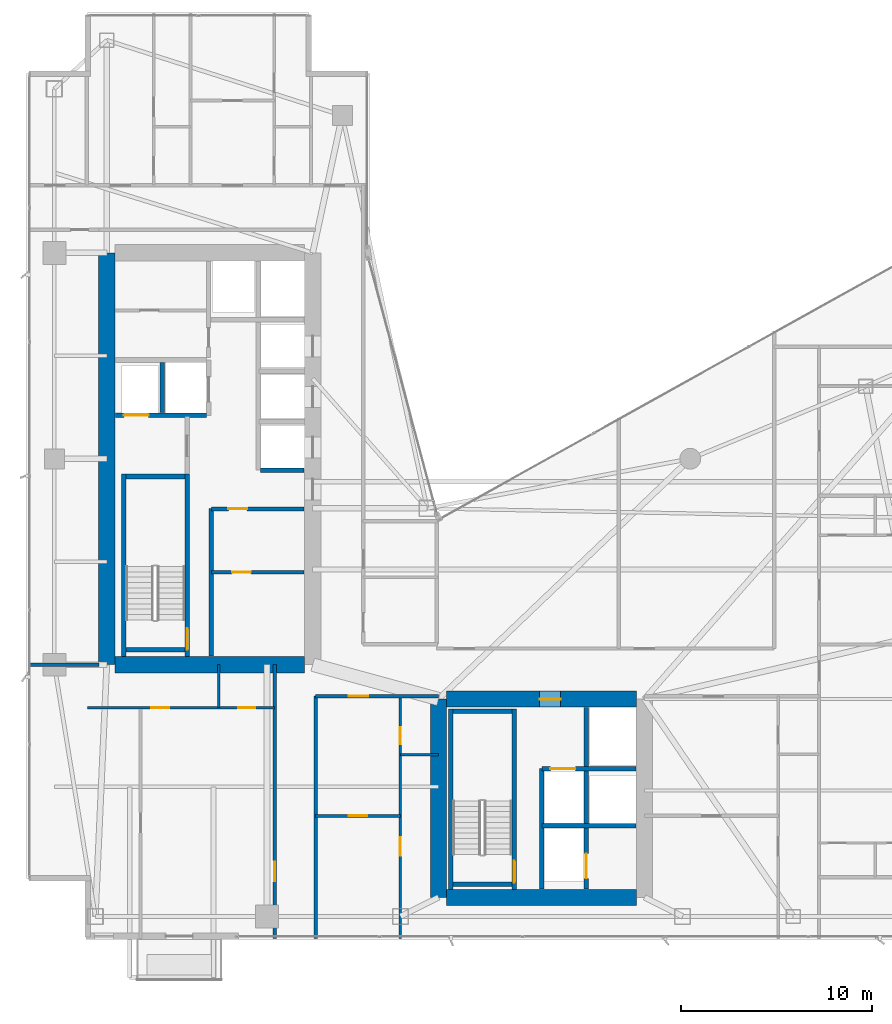
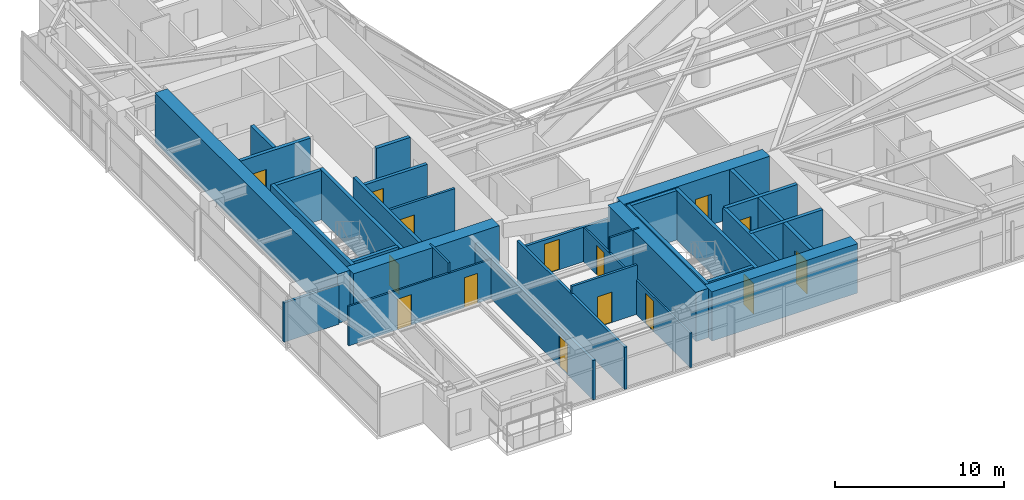
# One storey, part 22 of 28: 32 walls, 15 doors, 15 openings.
"""IFC4 building model written with IfcOpenShell, lengths in metres."""

from ifc_helpers import new_model, si_unit, direction, frame, frame_2d, origin, place, context, subcontext, project, spatial, rectangle, extrude, material, layer, layer_set, type_object, element, fill, save


model = new_model("IFC4")

# Units and contexts
model_context = context("Model", 3, precision=1e-05, world=origin(), true_north=direction((0.0, 1.0)))
body_context = subcontext(model_context, "Body", "Model", "MODEL_VIEW")
ifc_project = project(units=[si_unit("LENGTHUNIT", "METRE"), si_unit("AREAUNIT", "SQUARE_METRE"), si_unit("VOLUMEUNIT", "CUBIC_METRE"), si_unit("PLANEANGLEUNIT", "RADIAN"), si_unit("MASSUNIT", "GRAM", prefix="KILO")], contexts=[model_context])

# Site, building, storey
site_placement = place(None, origin())
site = spatial("IfcSite", under=ifc_project, at=site_placement, CompositionType="ELEMENT")
building_placement = place(site_placement, origin())
building = spatial("IfcBuilding", under=site, at=building_placement, Name="Calvorn Quay Hotel", CompositionType="ELEMENT")
storey_placement = place(building_placement, frame((0.0, 0.0, 131.60009765625)))
storey = spatial("IfcBuildingStorey", under=building, at=storey_placement, Name="L32", CompositionType="ELEMENT", Elevation=131.60009765625)

# Walls
ifc_material_1 = material(Name="Concrete C50", Category="concrete")
ifc_layer_1 = layer(ifc_material_1, 0.85009765625)
ifc_layer_set_1 = layer_set([ifc_layer_1], Name="WL-CORE-850")
wall_type_1 = type_object("IfcWallType", Name="WL-CORE-850", PredefinedType="SHEAR", material=ifc_layer_set_1)
wall_1_placement = place(storey_placement, frame((4.199951171875, 16.800048828125, 0.0), z_axis=(0.0, 0.0, 1.0), x_axis=(0.0, 1.0, 0.0)))
element("IfcWall", 1, at=wall_1_placement, inside=storey, type_object=wall_type_1, Name="West Core Shear Wall W (L32)", PredefinedType="SHEAR", context=body_context, shape_type="SweptSolid", body=[
    extrude(rectangle(XDim=21.599853515625, YDim=0.85009765625, at=frame_2d((10.7998046875, 0.0))), origin(), (0.0, 0.0, 1.0), 3.559814453125),
])
wall_2_placement = place(storey_placement, frame((4.625, 16.800048828125, 0.0), z_axis=(0.0, 0.0, 1.0), x_axis=(1.0, 0.0, 0.0)))
element("IfcWall", 2, at=wall_2_placement, inside=storey, type_object=wall_type_1, Name="West Core Shear Wall S (L32)", PredefinedType="SHEAR", context=body_context, shape_type="SweptSolid", body=[
    extrude(rectangle(XDim=9.949951171875, YDim=0.85009765625, at=frame_2d((4.97509765625, 0.0))), origin(), (0.0, 0.0, 1.0), 3.559814453125),
])
wall_3_placement = place(storey_placement, frame((21.60009765625, 4.60009765625, 0.0), z_axis=(0.0, 0.0, 1.0), x_axis=(0.0, 1.0, 0.0)))
element("IfcWall", 3, at=wall_3_placement, inside=storey, type_object=wall_type_1, Name="East Core Shear Wall W (L32)", PredefinedType="SHEAR", context=body_context, shape_type="SweptSolid", body=[
    extrude(rectangle(XDim=10.39990234375, YDim=0.85009765625, at=frame_2d((5.199951171875, 0.0))), origin(), (0.0, 0.0, 1.0), 3.559814453125),
])

# Wall, opening, door
wall_4_placement = place(storey_placement, frame((22.02490234375, 15.0, 0.0), z_axis=(0.0, 0.0, 1.0), x_axis=(1.0, 0.0, 0.0)))
wall_4 = element("IfcWall", 4, at=wall_4_placement, inside=storey, type_object=wall_type_1, Name="East Core Shear Wall N (L32)", PredefinedType="SHEAR", context=body_context, shape_type="SweptSolid", body=[
    extrude(rectangle(XDim=9.9501953125, YDim=0.85009765625, at=frame_2d((4.97509765625, 0.0))), origin(), (0.0, 0.0, 1.0), 3.559814453125),
])
opening_1_placement = place(wall_4_placement, frame((4.8798828125, 0.0, 0.0)))
opening_1 = element("IfcOpeningElement", 5, at=opening_1_placement, cuts=wall_4, Name="Opening D-L32-FLE", PredefinedType="OPENING", context=body_context, shape_type="SweptSolid", body=[
    extrude(rectangle(XDim=1.10009765625, YDim=2.199951171875, at=frame_2d((0.550048828125, 1.10009765625))), frame((0.0, 0.43505859375, 0.0), z_axis=(0.0, -1.0, 0.0), x_axis=(1.0, 0.0, 0.0)), (0.0, 0.0, 1.0), 0.8701171875),
])
ifc_material_2 = material(Name="Smoke-Sealed Steel Class A Fire Door", Category="steel")
door_type_1 = type_object("IfcDoorType", Name="DR-FFLOBBY-1100", OperationType="NOTDEFINED", PredefinedType="DOOR", material=ifc_material_2)
door_1_placement = place(opening_1_placement, origin())
door_1 = element("IfcDoor", 6, at=door_1_placement, inside=storey, type_object=door_type_1, Name="East Firefighting Lobby Fire Door (L32)", OperationType="SINGLE_SWING_RIGHT", OverallHeight=2.199951171875, OverallWidth=1.10009765625, PredefinedType="DOOR", context=body_context, shape_type="SweptSolid", body=[
    extrude(rectangle(XDim=1.10009765625, YDim=2.199951171875, at=frame_2d((0.550048828125, 1.10009765625))), frame((0.0, 0.02490234375, 0.0), z_axis=(0.0, -1.0, 0.0), x_axis=(1.0, 0.0, 0.0)), (0.0, 0.0, 1.0), 0.050048828125),
])
fill(opening_1, door_1)

# Walls
wall_5_placement = place(storey_placement, frame((22.02490234375, 4.60009765625, 0.0), z_axis=(0.0, 0.0, 1.0), x_axis=(1.0, 0.0, 0.0)))
element("IfcWall", 7, at=wall_5_placement, inside=storey, type_object=wall_type_1, Name="East Core Shear Wall S (L32)", PredefinedType="SHEAR", context=body_context, shape_type="SweptSolid", body=[
    extrude(rectangle(XDim=9.9501953125, YDim=0.85009765625, at=frame_2d((4.97509765625, 0.0))), origin(), (0.0, 0.0, 1.0), 3.559814453125),
])
ifc_material_3 = material(Name="Acoustic Fireboard Steel-Stud Partition", Category="steel")
ifc_layer_2 = layer(ifc_material_3, 0.179931640625)
ifc_layer_set_2 = layer_set([ifc_layer_2], Name="WL-CORR-FIRE-180")
wall_type_2 = type_object("IfcWallType", Name="WL-CORR-FIRE-180", PredefinedType="PARTITIONING", material=ifc_layer_set_2)
wall_6_placement = place(storey_placement, frame((0.080078125, 16.800048828125, 0.0), z_axis=(0.0, 0.0, 1.0), x_axis=(1.0, 0.0, 0.0)))
element("IfcWall", 8, at=wall_6_placement, inside=storey, type_object=wall_type_2, Name="Partition Wall L32-WL-WBAY-S-WALL", PredefinedType="PARTITIONING", context=body_context, shape_type="SweptSolid", body=[
    extrude(rectangle(XDim=3.724853515625, YDim=0.179931640625, at=frame_2d((1.8623046875, 0.0))), origin(), (0.0, 0.0, 1.0), 2.83984375),
])

# Wall, opening, door
wall_7_placement = place(storey_placement, frame((13.0, 2.43994140625, 0.0), z_axis=(0.0, 0.0, 1.0), x_axis=(0.0, 1.0, 0.0)))
wall_7 = element("IfcWall", 9, at=wall_7_placement, inside=storey, type_object=wall_type_2, Name="Partition Wall L32-WL-CORR-SW-LEG-W", PredefinedType="PARTITIONING", context=body_context, shape_type="SweptSolid", body=[
    extrude(rectangle(XDim=14.360107421875, YDim=0.179931640625, at=frame_2d((7.18017578125, 0.0))), origin(), (0.0, 0.0, 1.0), 2.83984375),
])
opening_2_placement = place(wall_7_placement, frame((3.010009765625, 0.0, 0.0)))
opening_2 = element("IfcOpeningElement", 10, at=opening_2_placement, cuts=wall_7, Name="Opening D-L32-U01", PredefinedType="OPENING", context=body_context, shape_type="SweptSolid", body=[
    extrude(rectangle(XDim=1.02001953125, YDim=2.199951171875, at=frame_2d((0.510009765625, 1.10009765625))), frame((0.0, 0.099853515625, 0.0), z_axis=(0.0, -1.0, 0.0), x_axis=(1.0, 0.0, 0.0)), (0.0, 0.0, 1.0), 0.199951171875),
])
ifc_material_4 = material(Name="Solid-Core Walnut Veneer Hotel Fire Door")
door_type_2 = type_object("IfcDoorType", Name="DR-GUEST-ENTRY-1020", OperationType="NOTDEFINED", PredefinedType="DOOR", material=ifc_material_4)
door_2_placement = place(opening_2_placement, origin())
door_2 = element("IfcDoor", 11, at=door_2_placement, inside=storey, type_object=door_type_2, Name="South-West Unit Door U01 (L32)", OperationType="SINGLE_SWING_LEFT", OverallHeight=2.199951171875, OverallWidth=1.02001953125, PredefinedType="DOOR", context=body_context, shape_type="SweptSolid", body=[
    extrude(rectangle(XDim=1.02001953125, YDim=2.199951171875, at=frame_2d((0.510009765625, 1.10009765625))), frame((0.0, 0.02490234375, 0.0), z_axis=(0.0, -1.0, 0.0), x_axis=(1.0, 0.0, 0.0)), (0.0, 0.0, 1.0), 0.050048828125),
])
fill(opening_2, door_2)

# Wall
wall_8_placement = place(storey_placement, frame((15.14990234375, 2.43994140625, 0.0), z_axis=(0.0, 0.0, 1.0), x_axis=(0.0, 1.0, 0.0)))
element("IfcWall", 12, at=wall_8_placement, inside=storey, type_object=wall_type_2, Name="Partition Wall L32-WL-CORR-SW-W", PredefinedType="PARTITIONING", context=body_context, shape_type="SweptSolid", body=[
    extrude(rectangle(XDim=12.7099609375, YDim=0.179931640625, at=frame_2d((6.35498046875, 0.0))), origin(), (0.0, 0.0, 1.0), 3.039794921875),
])

# Wall, opening, door
wall_9_placement = place(storey_placement, frame((15.14990234375, 15.14990234375, 0.0), z_axis=(0.0, 0.0, 1.0), x_axis=(1.0, 0.0, 0.0)))
wall_9 = element("IfcWall", 13, at=wall_9_placement, inside=storey, type_object=wall_type_2, Name="Partition Wall L32-WL-SC-CORR-S", PredefinedType="PARTITIONING", context=body_context, shape_type="SweptSolid", body=[
    extrude(rectangle(XDim=6.4501953125, YDim=0.179931640625, at=frame_2d((3.22509765625, 0.0))), origin(), (0.0, 0.0, 1.0), 2.489990234375),
])
opening_3_placement = place(wall_9_placement, frame((1.739990234375, 0.0, 0.0)))
opening_3 = element("IfcOpeningElement", 14, at=opening_3_placement, cuts=wall_9, Name="Opening D-L32-U02", PredefinedType="OPENING", context=body_context, shape_type="SweptSolid", body=[
    extrude(rectangle(XDim=1.02001953125, YDim=2.199951171875, at=frame_2d((0.510009765625, 1.10009765625))), frame((0.0, 0.099853515625, 0.0), z_axis=(0.0, -1.0, 0.0), x_axis=(1.0, 0.0, 0.0)), (0.0, 0.0, 1.0), 0.199951171875),
])
door_3_placement = place(opening_3_placement, origin())
door_3 = element("IfcDoor", 15, at=door_3_placement, inside=storey, type_object=door_type_2, Name="Harbour Central Unit Door (L32)", OperationType="SINGLE_SWING_LEFT", OverallHeight=2.199951171875, OverallWidth=1.02001953125, PredefinedType="DOOR", context=body_context, shape_type="SweptSolid", body=[
    extrude(rectangle(XDim=1.02001953125, YDim=2.199951171875, at=frame_2d((0.510009765625, 1.10009765625))), frame((0.0, 0.02490234375, 0.0), z_axis=(0.0, -1.0, 0.0), x_axis=(1.0, 0.0, 0.0)), (0.0, 0.0, 1.0), 0.050048828125),
])
fill(opening_3, door_3)

# Wall
ifc_material_5 = material(Name="Moisture-Resistant Tile-Backed Partition")
ifc_layer_3 = layer(ifc_material_5, 0.125)
ifc_layer_set_3 = layer_set([ifc_layer_3], Name="WL-ENSUITE-125")
wall_type_3 = type_object("IfcWallType", Name="WL-ENSUITE-125", PredefinedType="PARTITIONING", material=ifc_layer_set_3)
wall_10_placement = place(storey_placement, frame((10.080078125, 14.550048828125, 0.0), z_axis=(0.0, 0.0, 1.0), x_axis=(0.0, 1.0, 0.0)))
element("IfcWall", 16, at=wall_10_placement, inside=storey, type_object=wall_type_3, Name="Partition Wall L32-WL-U01-BDV", PredefinedType="PARTITIONING", context=body_context, shape_type="SweptSolid", body=[
    extrude(rectangle(XDim=2.25, YDim=0.125, at=frame_2d((1.125, 0.0))), origin(), (0.0, 0.0, 1.0), 3.559814453125),
])

# Wall, openings, doors
wall_11_placement = place(storey_placement, frame((3.199951171875, 14.550048828125, 0.0), z_axis=(0.0, 0.0, 1.0), x_axis=(1.0, 0.0, 0.0)))
wall_11 = element("IfcWall", 17, at=wall_11_placement, inside=storey, type_object=wall_type_3, Name="Partition Wall L32-WL-U01-BH", PredefinedType="PARTITIONING", context=body_context, shape_type="SweptSolid", body=[
    extrude(rectangle(XDim=9.800048828125, YDim=0.125, at=frame_2d((4.89990234375, 0.0))), origin(), (0.0, 0.0, 1.0), 2.83984375),
])
opening_4_placement = place(wall_11_placement, frame((3.320068359375, 0.0, 0.0)))
opening_4 = element("IfcOpeningElement", 18, at=opening_4_placement, cuts=wall_11, Name="Opening D-L32-S01", PredefinedType="OPENING", context=body_context, shape_type="SweptSolid", body=[
    extrude(rectangle(XDim=0.9599609375, YDim=2.199951171875, at=frame_2d((0.47998046875, 1.10009765625))), frame((0.0, 0.072509765625, 0.0), z_axis=(0.0, -1.0, 0.0), x_axis=(1.0, 0.0, 0.0)), (0.0, 0.0, 1.0), 0.14501953125),
])
opening_5_placement = place(wall_11_placement, frame((7.889892578125, 0.0, 0.0)))
opening_5 = element("IfcOpeningElement", 19, at=opening_5_placement, cuts=wall_11, Name="Opening D-L32-E01", PredefinedType="OPENING", context=body_context, shape_type="SweptSolid", body=[
    extrude(rectangle(XDim=0.89990234375, YDim=2.14990234375, at=frame_2d((0.449951171875, 1.074951171875))), frame((0.0, 0.072509765625, 0.0), z_axis=(0.0, -1.0, 0.0), x_axis=(1.0, 0.0, 0.0)), (0.0, 0.0, 1.0), 0.14501953125),
])
ifc_material_6 = material(Name="Moisture-Sealed Timber En-Suite Door", Category="wood")
door_type_3 = type_object("IfcDoorType", Name="DR-ENSUITE-900", OperationType="NOTDEFINED", PredefinedType="DOOR", material=ifc_material_6)
door_4_placement = place(opening_5_placement, origin())
door_4 = element("IfcDoor", 20, at=door_4_placement, inside=storey, type_object=door_type_3, Name="En-Suite Door 01", OperationType="SINGLE_SWING_RIGHT", OverallHeight=2.14990234375, OverallWidth=0.89990234375, PredefinedType="DOOR", context=body_context, shape_type="SweptSolid", body=[
    extrude(rectangle(XDim=0.89990234375, YDim=2.14990234375, at=frame_2d((0.449951171875, 1.074951171875))), frame((0.0, 0.02490234375, 0.0), z_axis=(0.0, -1.0, 0.0), x_axis=(1.0, 0.0, 0.0)), (0.0, 0.0, 1.0), 0.050048828125),
])
fill(opening_5, door_4)
ifc_material_7 = material(Name="Solid Timber Internal Suite Door", Category="wood")
door_type_4 = type_object("IfcDoorType", Name="DR-SUITE-INT-960", OperationType="NOTDEFINED", PredefinedType="DOOR", material=ifc_material_7)
door_5_placement = place(opening_4_placement, origin())
door_5 = element("IfcDoor", 21, at=door_5_placement, inside=storey, type_object=door_type_4, Name="Walk-In Wardrobe Door 01", OperationType="SINGLE_SWING_LEFT", OverallHeight=2.199951171875, OverallWidth=0.9599609375, PredefinedType="DOOR", context=body_context, shape_type="SweptSolid", body=[
    extrude(rectangle(XDim=0.9599609375, YDim=2.199951171875, at=frame_2d((0.47998046875, 1.10009765625))), frame((0.0, 0.02490234375, 0.0), z_axis=(0.0, -1.0, 0.0), x_axis=(1.0, 0.0, 0.0)), (0.0, 0.0, 1.0), 0.050048828125),
])
fill(opening_4, door_5)

# Wall
wall_12_placement = place(storey_placement, frame((19.60009765625, 12.070068359375, 0.0), z_axis=(0.0, 0.0, 1.0), x_axis=(1.0, 0.0, 0.0)))
element("IfcWall", 22, at=wall_12_placement, inside=storey, type_object=wall_type_3, Name="Partition Wall L32-WL-U02-BDV", PredefinedType="PARTITIONING", context=body_context, shape_type="SweptSolid", body=[
    extrude(rectangle(XDim=2.0, YDim=0.125, at=frame_2d((1.0, 0.0))), origin(), (0.0, 0.0, 1.0), 3.559814453125),
])

# Wall, openings, doors
wall_13_placement = place(storey_placement, frame((19.60009765625, 2.43994140625, 0.0), z_axis=(0.0, 0.0, 1.0), x_axis=(0.0, 1.0, 0.0)))
wall_13 = element("IfcWall", 23, at=wall_13_placement, inside=storey, type_object=wall_type_3, Name="Partition Wall L32-WL-U02-BV", PredefinedType="PARTITIONING", context=body_context, shape_type="SweptSolid", body=[
    extrude(rectangle(XDim=12.7099609375, YDim=0.125, at=frame_2d((6.35498046875, 0.0))), origin(), (0.0, 0.0, 1.0), 2.489990234375),
])
opening_6_placement = place(wall_13_placement, frame((4.340087890625, 0.0, 0.0)))
opening_6 = element("IfcOpeningElement", 24, at=opening_6_placement, cuts=wall_13, Name="Opening D-L32-S02", PredefinedType="OPENING", context=body_context, shape_type="SweptSolid", body=[
    extrude(rectangle(XDim=0.9599609375, YDim=2.199951171875, at=frame_2d((0.47998046875, 1.10009765625))), frame((0.0, 0.072509765625, 0.0), z_axis=(0.0, -1.0, 0.0), x_axis=(1.0, 0.0, 0.0)), (0.0, 0.0, 1.0), 0.14501953125),
])
opening_7_placement = place(wall_13_placement, frame((10.179931640625, 0.0, 0.0)))
opening_7 = element("IfcOpeningElement", 25, at=opening_7_placement, cuts=wall_13, Name="Opening D-L32-E02", PredefinedType="OPENING", context=body_context, shape_type="SweptSolid", body=[
    extrude(rectangle(XDim=0.89990234375, YDim=2.14990234375, at=frame_2d((0.449951171875, 1.074951171875))), frame((0.0, 0.072509765625, 0.0), z_axis=(0.0, -1.0, 0.0), x_axis=(1.0, 0.0, 0.0)), (0.0, 0.0, 1.0), 0.14501953125),
])
door_6_placement = place(opening_7_placement, origin())
door_6 = element("IfcDoor", 26, at=door_6_placement, inside=storey, type_object=door_type_3, Name="En-Suite Door 02", OperationType="SINGLE_SWING_RIGHT", OverallHeight=2.14990234375, OverallWidth=0.89990234375, PredefinedType="DOOR", context=body_context, shape_type="SweptSolid", body=[
    extrude(rectangle(XDim=0.89990234375, YDim=2.14990234375, at=frame_2d((0.449951171875, 1.074951171875))), frame((0.0, 0.02490234375, 0.0), z_axis=(0.0, -1.0, 0.0), x_axis=(1.0, 0.0, 0.0)), (0.0, 0.0, 1.0), 0.050048828125),
])
fill(opening_7, door_6)
door_7_placement = place(opening_6_placement, origin())
door_7 = element("IfcDoor", 27, at=door_7_placement, inside=storey, type_object=door_type_4, Name="Walk-In Wardrobe Door 02", OperationType="SINGLE_SWING_LEFT", OverallHeight=2.199951171875, OverallWidth=0.9599609375, PredefinedType="DOOR", context=body_context, shape_type="SweptSolid", body=[
    extrude(rectangle(XDim=0.9599609375, YDim=2.199951171875, at=frame_2d((0.47998046875, 1.10009765625))), frame((0.0, 0.02490234375, 0.0), z_axis=(0.0, -1.0, 0.0), x_axis=(1.0, 0.0, 0.0)), (0.0, 0.0, 1.0), 0.050048828125),
])
fill(opening_6, door_7)

# Wall, opening, door
ifc_material_8 = material(Name="Double-Stud Acoustic Gypsum Partition")
ifc_layer_4 = layer(ifc_material_8, 0.159912109375)
ifc_layer_set_4 = layer_set([ifc_layer_4], Name="WL-INTERSUITE-160")
wall_type_4 = type_object("IfcWallType", Name="WL-INTERSUITE-160", PredefinedType="PARTITIONING", material=ifc_layer_set_4)
wall_14_placement = place(storey_placement, frame((9.679931640625, 21.64990234375, 0.0), z_axis=(0.0, 0.0, 1.0), x_axis=(1.0, 0.0, 0.0)))
wall_14 = element("IfcWall", 28, at=wall_14_placement, inside=storey, type_object=wall_type_4, Name="Partition Wall L32-WL-CWW-FR-SPLIT", PredefinedType="PARTITIONING", context=body_context, shape_type="SweptSolid", body=[
    extrude(rectangle(XDim=4.875, YDim=0.159912109375, at=frame_2d((2.4375, 0.0))), origin(), (0.0, 0.0, 1.0), 3.08984375),
])
opening_8_placement = place(wall_14_placement, frame((1.10009765625, 0.0, 0.0)))
opening_8 = element("IfcOpeningElement", 29, at=opening_8_placement, cuts=wall_14, Name="Opening D-L32-FRL1", PredefinedType="OPENING", context=body_context, shape_type="SweptSolid", body=[
    extrude(rectangle(XDim=0.97998046875, YDim=2.14990234375, at=frame_2d((0.489990234375, 1.074951171875))), frame((0.0, 0.08984375, 0.0), z_axis=(0.0, -1.0, 0.0), x_axis=(1.0, 0.0, 0.0)), (0.0, 0.0, 1.0), 0.179931640625),
])
ifc_material_9 = material(Name="Painted Steel Housekeeping/Riser Fire Door", Category="steel")
door_type_5 = type_object("IfcDoorType", Name="DR-SERVICE-980", OperationType="NOTDEFINED", PredefinedType="DOOR", material=ifc_material_9)
door_8_placement = place(opening_8_placement, origin())
door_8 = element("IfcDoor", 30, at=door_8_placement, inside=storey, type_object=door_type_5, Name="Linen Store Room Door (L32)", OperationType="SINGLE_SWING_LEFT", OverallHeight=2.14990234375, OverallWidth=0.97998046875, PredefinedType="DOOR", context=body_context, shape_type="SweptSolid", body=[
    extrude(rectangle(XDim=0.97998046875, YDim=2.14990234375, at=frame_2d((0.489990234375, 1.074951171875))), frame((0.0, 0.02490234375, 0.0), z_axis=(0.0, -1.0, 0.0), x_axis=(1.0, 0.0, 0.0)), (0.0, 0.0, 1.0), 0.050048828125),
])
fill(opening_8, door_8)

wall_15_placement = place(storey_placement, frame((15.14990234375, 8.8701171875, 0.0), z_axis=(0.0, 0.0, 1.0), x_axis=(1.0, 0.0, 0.0)))
wall_15 = element("IfcWall", 31, at=wall_15_placement, inside=storey, type_object=wall_type_4, Name="Partition Wall L32-WL-U02-MSP", PredefinedType="PARTITIONING", context=body_context, shape_type="SweptSolid", body=[
    extrude(rectangle(XDim=4.4501953125, YDim=0.159912109375, at=frame_2d((2.22509765625, 0.0))), origin(), (0.0, 0.0, 1.0), 3.559814453125),
])
opening_9_placement = place(wall_15_placement, frame((1.75, 0.0, 0.0)))
opening_9 = element("IfcOpeningElement", 32, at=opening_9_placement, cuts=wall_15, Name="Opening D-L32-M02", PredefinedType="OPENING", context=body_context, shape_type="SweptSolid", body=[
    extrude(rectangle(XDim=0.9599609375, YDim=2.199951171875, at=frame_2d((0.47998046875, 1.10009765625))), frame((0.0, 0.08984375, 0.0), z_axis=(0.0, -1.0, 0.0), x_axis=(1.0, 0.0, 0.0)), (0.0, 0.0, 1.0), 0.179931640625),
])
door_9_placement = place(opening_9_placement, origin())
door_9 = element("IfcDoor", 33, at=door_9_placement, inside=storey, type_object=door_type_4, Name="Suite Bedroom Door 02", OperationType="SINGLE_SWING_LEFT", OverallHeight=2.199951171875, OverallWidth=0.9599609375, PredefinedType="DOOR", context=body_context, shape_type="SweptSolid", body=[
    extrude(rectangle(XDim=0.9599609375, YDim=2.199951171875, at=frame_2d((0.47998046875, 1.10009765625))), frame((0.0, 0.02490234375, 0.0), z_axis=(0.0, -1.0, 0.0), x_axis=(1.0, 0.0, 0.0)), (0.0, 0.0, 1.0), 0.050048828125),
])
fill(opening_9, door_9)

# Wall
ifc_material_10 = material(Name="Autoclaved Aerated Masonry Block", Category="masonry")
ifc_layer_5 = layer(ifc_material_10, 0.219970703125)
ifc_layer_set_5 = layer_set([ifc_layer_5], Name="WL-LOBBY-FIRE-220")
wall_type_5 = type_object("IfcWallType", Name="WL-LOBBY-FIRE-220", PredefinedType="SOLIDWALL", material=ifc_layer_set_5)
wall_16_placement = place(storey_placement, frame((9.679931640625, 17.2451171875, 0.0), z_axis=(0.0, 0.0, 1.0), x_axis=(0.0, 1.0, 0.0)))
element("IfcWall", 34, at=wall_16_placement, inside=storey, type_object=wall_type_5, Name="Partition Wall L32-WL-CWW-STW-HALL-E", PredefinedType="SOLIDWALL", context=body_context, shape_type="SweptSolid", body=[
    extrude(rectangle(XDim=7.7548828125, YDim=0.219970703125, at=frame_2d((3.87744140625, 0.0))), origin(), (0.0, 0.0, 1.0), 3.559814453125),
])

# Wall, opening, door
wall_17_placement = place(storey_placement, frame((9.679931640625, 24.969970703125, 0.0), z_axis=(0.0, 0.0, 1.0), x_axis=(1.0, 0.0, 0.0)))
wall_17 = element("IfcWall", 35, at=wall_17_placement, inside=storey, type_object=wall_type_5, Name="Partition Wall L32-WL-CWW-FR-N", PredefinedType="SOLIDWALL", context=body_context, shape_type="SweptSolid", body=[
    extrude(rectangle(XDim=4.875, YDim=0.219970703125, at=frame_2d((2.4375, 0.0))), origin(), (0.0, 0.0, 1.0), 2.83984375),
])
opening_10_placement = place(wall_17_placement, frame((0.89990234375, 0.0, 0.0)))
opening_10 = element("IfcOpeningElement", 36, at=opening_10_placement, cuts=wall_17, Name="Opening D-L32-FRL2", PredefinedType="OPENING", context=body_context, shape_type="SweptSolid", body=[
    extrude(rectangle(XDim=0.97998046875, YDim=2.14990234375, at=frame_2d((0.489990234375, 1.074951171875))), frame((0.0, 0.119873046875, 0.0), z_axis=(0.0, -1.0, 0.0), x_axis=(1.0, 0.0, 0.0)), (0.0, 0.0, 1.0), 0.239990234375),
])
door_10_placement = place(opening_10_placement, origin())
door_10 = element("IfcDoor", 37, at=door_10_placement, inside=storey, type_object=door_type_5, Name="Beverage Pantry Door (L32)", OperationType="SINGLE_SWING_RIGHT", OverallHeight=2.14990234375, OverallWidth=0.97998046875, PredefinedType="DOOR", context=body_context, shape_type="SweptSolid", body=[
    extrude(rectangle(XDim=0.97998046875, YDim=2.14990234375, at=frame_2d((0.489990234375, 1.074951171875))), frame((0.0, 0.02490234375, 0.0), z_axis=(0.0, -1.0, 0.0), x_axis=(1.0, 0.0, 0.0)), (0.0, 0.0, 1.0), 0.050048828125),
])
fill(opening_10, door_10)

# Wall
ifc_material_11 = material(Name="Concrete C40", Category="concrete")
ifc_layer_6 = layer(ifc_material_11, 0.239990234375)
ifc_layer_set_6 = layer_set([ifc_layer_6], Name="WL-SHAFT-240")
wall_type_6 = type_object("IfcWallType", Name="WL-SHAFT-240", PredefinedType="SOLIDWALL", material=ifc_layer_set_6)
wall_18_placement = place(storey_placement, frame((5.080078125, 17.22509765625, 0.0), z_axis=(0.0, 0.0, 1.0), x_axis=(0.0, 1.0, 0.0)))
element("IfcWall", 38, at=wall_18_placement, inside=storey, type_object=wall_type_6, Name="Stair STW Shaft Wall W (L32)", PredefinedType="SOLIDWALL", context=body_context, shape_type="SweptSolid", body=[
    extrude(rectangle(XDim=9.56494140625, YDim=0.239990234375, at=frame_2d((4.782470703125, 0.0))), origin(), (0.0, 0.0, 1.0), 3.559814453125),
])

# Wall, opening, door
wall_19_placement = place(storey_placement, frame((8.419921875, 17.22509765625, 0.0), z_axis=(0.0, 0.0, 1.0), x_axis=(0.0, 1.0, 0.0)))
wall_19 = element("IfcWall", 39, at=wall_19_placement, inside=storey, type_object=wall_type_6, Name="Stair STW Shaft Wall E (L32)", PredefinedType="SOLIDWALL", context=body_context, shape_type="SweptSolid", body=[
    extrude(rectangle(XDim=9.56494140625, YDim=0.239990234375, at=frame_2d((4.782470703125, 0.0))), origin(), (0.0, 0.0, 1.0), 3.559814453125),
])
opening_11_placement = place(wall_19_placement, frame((0.35009765625, 0.0, 0.0)))
opening_11 = element("IfcOpeningElement", 40, at=opening_11_placement, cuts=wall_19, Name="Opening D-L32-STW", PredefinedType="OPENING", context=body_context, shape_type="SweptSolid", body=[
    extrude(rectangle(XDim=1.14990234375, YDim=2.199951171875, at=frame_2d((0.574951171875, 1.10009765625))), frame((0.0, 0.1298828125, 0.0), z_axis=(0.0, -1.0, 0.0), x_axis=(1.0, 0.0, 0.0)), (0.0, 0.0, 1.0), 0.260009765625),
])
ifc_material_12 = material(Name="Galvanised Steel Class A Fire Door", Category="steel")
door_type_6 = type_object("IfcDoorType", Name="DR-STAIR-SMOKE-1150", OperationType="NOTDEFINED", PredefinedType="DOOR", material=ifc_material_12)
door_11_placement = place(opening_11_placement, origin())
door_11 = element("IfcDoor", 41, at=door_11_placement, inside=storey, type_object=door_type_6, Name="Stair ST-W Fire Door (L32)", OperationType="SINGLE_SWING_LEFT", OverallHeight=2.199951171875, OverallWidth=1.14990234375, PredefinedType="DOOR", context=body_context, shape_type="SweptSolid", body=[
    extrude(rectangle(XDim=1.14990234375, YDim=2.199951171875, at=frame_2d((0.574951171875, 1.10009765625))), frame((0.0, 0.02490234375, 0.0), z_axis=(0.0, -1.0, 0.0), x_axis=(1.0, 0.0, 0.0)), (0.0, 0.0, 1.0), 0.050048828125),
])
fill(opening_11, door_11)

# Walls
for number, where, z_axis, x_axis, name in (
    (42, (5.199951171875, 17.580078125, 0.0), (0.0, 0.0, 1.0), (1.0, 0.0, 0.0), "Stair STW Shaft Wall S (L32)"),
    (43, (5.199951171875, 26.669921875, 0.0), (0.0, 0.0, 1.0), (1.0, 0.0, 0.0), "Stair STW Shaft Wall N (L32)"),
):
    element("IfcWall", number, at=place(storey_placement, frame(where, z_axis=z_axis, x_axis=x_axis)), inside=storey, type_object=wall_type_6, Name=name, PredefinedType="SOLIDWALL", context=body_context, shape_type="SweptSolid", body=[
        extrude(rectangle(XDim=3.10009765625, YDim=0.239990234375, at=frame_2d((1.550048828125, 0.0))), origin(), (0.0, 0.0, 1.0), 3.559814453125),
    ])
wall_20_placement = place(storey_placement, frame((22.22998046875, 5.02490234375, 0.0), z_axis=(0.0, 0.0, 1.0), x_axis=(0.0, 1.0, 0.0)))
element("IfcWall", 44, at=wall_20_placement, inside=storey, type_object=wall_type_6, Name="Stair STE Shaft Wall W (L32)", PredefinedType="SOLIDWALL", context=body_context, shape_type="SweptSolid", body=[
    extrude(rectangle(XDim=9.465087890625, YDim=0.239990234375, at=frame_2d((4.732421875, 0.0))), origin(), (0.0, 0.0, 1.0), 3.559814453125),
])

# Wall, opening, door
wall_21_placement = place(storey_placement, frame((25.570068359375, 5.02490234375, 0.0), z_axis=(0.0, 0.0, 1.0), x_axis=(0.0, 1.0, 0.0)))
wall_21 = element("IfcWall", 45, at=wall_21_placement, inside=storey, type_object=wall_type_6, Name="Stair STE Shaft Wall E (L32)", PredefinedType="SOLIDWALL", context=body_context, shape_type="SweptSolid", body=[
    extrude(rectangle(XDim=9.465087890625, YDim=0.239990234375, at=frame_2d((4.732421875, 0.0))), origin(), (0.0, 0.0, 1.0), 3.559814453125),
])
opening_12_placement = place(wall_21_placement, frame((0.35009765625, 0.0, 0.0)))
opening_12 = element("IfcOpeningElement", 46, at=opening_12_placement, cuts=wall_21, Name="Opening D-L32-STE", PredefinedType="OPENING", context=body_context, shape_type="SweptSolid", body=[
    extrude(rectangle(XDim=1.14990234375, YDim=2.199951171875, at=frame_2d((0.574951171875, 1.10009765625))), frame((0.0, 0.1298828125, 0.0), z_axis=(0.0, -1.0, 0.0), x_axis=(1.0, 0.0, 0.0)), (0.0, 0.0, 1.0), 0.260009765625),
])
door_12_placement = place(opening_12_placement, origin())
door_12 = element("IfcDoor", 47, at=door_12_placement, inside=storey, type_object=door_type_6, Name="Stair ST-E Fire Door (L32)", OperationType="SINGLE_SWING_RIGHT", OverallHeight=2.199951171875, OverallWidth=1.14990234375, PredefinedType="DOOR", context=body_context, shape_type="SweptSolid", body=[
    extrude(rectangle(XDim=1.14990234375, YDim=2.199951171875, at=frame_2d((0.574951171875, 1.10009765625))), frame((0.0, 0.02490234375, 0.0), z_axis=(0.0, -1.0, 0.0), x_axis=(1.0, 0.0, 0.0)), (0.0, 0.0, 1.0), 0.050048828125),
])
fill(opening_12, door_12)

# Walls
for number, where, z_axis, x_axis, name in (
    (48, (22.35009765625, 5.280029296875, 0.0), (0.0, 0.0, 1.0), (1.0, 0.0, 0.0), "Stair STE Shaft Wall S (L32)"),
    (49, (22.35009765625, 14.3701171875, 0.0), (0.0, 0.0, 1.0), (1.0, 0.0, 0.0), "Stair STE Shaft Wall N (L32)"),
):
    element("IfcWall", number, at=place(storey_placement, frame(where, z_axis=z_axis, x_axis=x_axis)), inside=storey, type_object=wall_type_6, Name=name, PredefinedType="SOLIDWALL", context=body_context, shape_type="SweptSolid", body=[
        extrude(rectangle(XDim=3.099853515625, YDim=0.239990234375, at=frame_2d((1.5498046875, 0.0))), origin(), (0.0, 0.0, 1.0), 3.559814453125),
    ])

# Wall, opening, door
wall_22_placement = place(storey_placement, frame((4.64501953125, 29.8798828125, 0.0), z_axis=(0.0, 0.0, 1.0), x_axis=(1.0, 0.0, 0.0)))
wall_22 = element("IfcWall", 50, at=wall_22_placement, inside=storey, type_object=wall_type_6, Name="Partition Wall L32-WL-CWW-FLW-S", PredefinedType="SOLIDWALL", context=body_context, shape_type="SweptSolid", body=[
    extrude(rectangle(XDim=4.77490234375, YDim=0.239990234375, at=frame_2d((2.387451171875, 0.0))), origin(), (0.0, 0.0, 1.0), 3.559814453125),
])
opening_13_placement = place(wall_22_placement, frame((0.449951171875, 0.0, 0.0)))
opening_13 = element("IfcOpeningElement", 51, at=opening_13_placement, cuts=wall_22, Name="Opening LD-L32-FLW1", PredefinedType="OPENING", context=body_context, shape_type="SweptSolid", body=[
    extrude(rectangle(XDim=1.300048828125, YDim=2.35009765625, at=frame_2d((0.64990234375, 1.175048828125))), frame((0.0, 0.1298828125, 0.0), z_axis=(0.0, -1.0, 0.0), x_axis=(1.0, 0.0, 0.0)), (0.0, 0.0, 1.0), 0.260009765625),
])
ifc_material_13 = material(Name="Champagne-Bronze Sliding Express Lift Landing Door")
door_type_7 = type_object("IfcDoorType", Name="DR-LIFT-SHUTTLE-1300", OperationType="NOTDEFINED", PredefinedType="DOOR", material=ifc_material_13)
door_13_placement = place(opening_13_placement, origin())
door_13 = element("IfcDoor", 52, at=door_13_placement, inside=storey, type_object=door_type_7, Name="Firefighting Lift FL-W1 Landing Door (L32)", OperationType="DOUBLE_DOOR_SLIDING", OverallHeight=2.35009765625, OverallWidth=1.300048828125, PredefinedType="DOOR", context=body_context, shape_type="SweptSolid", body=[
    extrude(rectangle(XDim=1.300048828125, YDim=2.35009765625, at=frame_2d((0.64990234375, 1.175048828125))), frame((0.0, 0.02490234375, 0.0), z_axis=(0.0, -1.0, 0.0), x_axis=(1.0, 0.0, 0.0)), (0.0, 0.0, 1.0), 0.050048828125),
])
fill(opening_13, door_13)

# Walls
wall_23_placement = place(storey_placement, frame((7.10009765625, 30.02001953125, 0.0), z_axis=(0.0, 0.0, 1.0), x_axis=(0.0, 1.0, 0.0)))
element("IfcWall", 53, at=wall_23_placement, inside=storey, type_object=wall_type_6, Name="Partition Wall L32-WL-CWW-FLW-DIV", PredefinedType="SOLIDWALL", context=body_context, shape_type="SweptSolid", body=[
    extrude(rectangle(XDim=2.6298828125, YDim=0.239990234375, at=frame_2d((1.31494140625, 0.0))), origin(), (0.0, 0.0, 1.0), 3.559814453125),
])
wall_24_placement = place(storey_placement, frame((12.25, 27.0, 0.0), z_axis=(0.0, 0.0, 1.0), x_axis=(1.0, 0.0, 0.0)))
element("IfcWall", 54, at=wall_24_placement, inside=storey, type_object=wall_type_6, Name="Partition Wall L32-WL-CWW-PLM-S", PredefinedType="SOLIDWALL", context=body_context, shape_type="SweptSolid", body=[
    extrude(rectangle(XDim=2.304931640625, YDim=0.239990234375, at=frame_2d((1.15234375, 0.0))), origin(), (0.0, 0.0, 1.0), 3.559814453125),
])
wall_25_placement = place(storey_placement, frame((27.02001953125, 5.044921875, 0.0), z_axis=(0.0, 0.0, 1.0), x_axis=(0.0, 1.0, 0.0)))
element("IfcWall", 55, at=wall_25_placement, inside=storey, type_object=wall_type_6, Name="Partition Wall L32-WL-CWE-SH-W", PredefinedType="SOLIDWALL", context=body_context, shape_type="SweptSolid", body=[
    extrude(rectangle(XDim=6.30517578125, YDim=0.239990234375, at=frame_2d((3.152587890625, 0.0))), origin(), (0.0, 0.0, 1.0), 3.559814453125),
])

# Wall, opening, door
wall_26_placement = place(storey_placement, frame((27.02001953125, 11.35009765625, 0.0), z_axis=(0.0, 0.0, 1.0), x_axis=(1.0, 0.0, 0.0)))
wall_26 = element("IfcWall", 56, at=wall_26_placement, inside=storey, type_object=wall_type_6, Name="Partition Wall L32-WL-CWE-FFL-S", PredefinedType="SOLIDWALL", context=body_context, shape_type="SweptSolid", body=[
    extrude(rectangle(XDim=4.93505859375, YDim=0.239990234375, at=frame_2d((2.467529296875, 0.0))), origin(), (0.0, 0.0, 1.0), 3.559814453125),
])
opening_14_placement = place(wall_26_placement, frame((0.449951171875, 0.0, 0.0)))
opening_14 = element("IfcOpeningElement", 57, at=opening_14_placement, cuts=wall_26, Name="Opening LD-L32-FLE1", PredefinedType="OPENING", context=body_context, shape_type="SweptSolid", body=[
    extrude(rectangle(XDim=1.300048828125, YDim=2.35009765625, at=frame_2d((0.64990234375, 1.175048828125))), frame((0.0, 0.1298828125, 0.0), z_axis=(0.0, -1.0, 0.0), x_axis=(1.0, 0.0, 0.0)), (0.0, 0.0, 1.0), 0.260009765625),
])
door_14_placement = place(opening_14_placement, origin())
door_14 = element("IfcDoor", 58, at=door_14_placement, inside=storey, type_object=door_type_7, Name="Firefighting Lift FL-E1 Landing Door (L32)", OperationType="DOUBLE_DOOR_SLIDING", OverallHeight=2.35009765625, OverallWidth=1.300048828125, PredefinedType="DOOR", context=body_context, shape_type="SweptSolid", body=[
    extrude(rectangle(XDim=1.300048828125, YDim=2.35009765625, at=frame_2d((0.64990234375, 1.175048828125))), frame((0.0, 0.02490234375, 0.0), z_axis=(0.0, -1.0, 0.0), x_axis=(1.0, 0.0, 0.0)), (0.0, 0.0, 1.0), 0.050048828125),
])
fill(opening_14, door_14)

# Wall
wall_27_placement = place(storey_placement, frame((27.02001953125, 8.35009765625, 0.0), z_axis=(0.0, 0.0, 1.0), x_axis=(1.0, 0.0, 0.0)))
element("IfcWall", 59, at=wall_27_placement, inside=storey, type_object=wall_type_6, Name="Partition Wall L32-WL-CWE-SL-N", PredefinedType="SOLIDWALL", context=body_context, shape_type="SweptSolid", body=[
    extrude(rectangle(XDim=4.93505859375, YDim=0.239990234375, at=frame_2d((2.467529296875, 0.0))), origin(), (0.0, 0.0, 1.0), 3.559814453125),
])

# Wall, opening, door
wall_28_placement = place(storey_placement, frame((29.35009765625, 5.044921875, 0.0), z_axis=(0.0, 0.0, 1.0), x_axis=(0.0, 1.0, 0.0)))
wall_28 = element("IfcWall", 60, at=wall_28_placement, inside=storey, type_object=wall_type_6, Name="Partition Wall L32-WL-CWE-OB-W", PredefinedType="SOLIDWALL", context=body_context, shape_type="SweptSolid", body=[
    extrude(rectangle(XDim=9.510009765625, YDim=0.239990234375, at=frame_2d((4.7548828125, 0.0))), origin(), (0.0, 0.0, 1.0), 3.559814453125),
])
opening_15_placement = place(wall_28_placement, frame((0.550048828125, 0.0, 0.0)))
opening_15 = element("IfcOpeningElement", 61, at=opening_15_placement, cuts=wall_28, Name="Opening LD-L32-SLEI", PredefinedType="OPENING", context=body_context, shape_type="SweptSolid", body=[
    extrude(rectangle(XDim=1.300048828125, YDim=2.35009765625, at=frame_2d((0.64990234375, 1.175048828125))), frame((0.0, 0.1298828125, 0.0), z_axis=(0.0, -1.0, 0.0), x_axis=(1.0, 0.0, 0.0)), (0.0, 0.0, 1.0), 0.260009765625),
])
door_15_placement = place(opening_15_placement, origin())
door_15 = element("IfcDoor", 62, at=door_15_placement, inside=storey, type_object=door_type_7, Name="Service Lift SL-E1 Landing Door (L32)", OperationType="DOUBLE_DOOR_SLIDING", OverallHeight=2.35009765625, OverallWidth=1.300048828125, PredefinedType="DOOR", context=body_context, shape_type="SweptSolid", body=[
    extrude(rectangle(XDim=1.300048828125, YDim=2.35009765625, at=frame_2d((0.64990234375, 1.175048828125))), frame((0.0, 0.02490234375, 0.0), z_axis=(0.0, -1.0, 0.0), x_axis=(1.0, 0.0, 0.0)), (0.0, 0.0, 1.0), 0.050048828125),
])
fill(opening_15, door_15)

save(model, "model.ifc")
